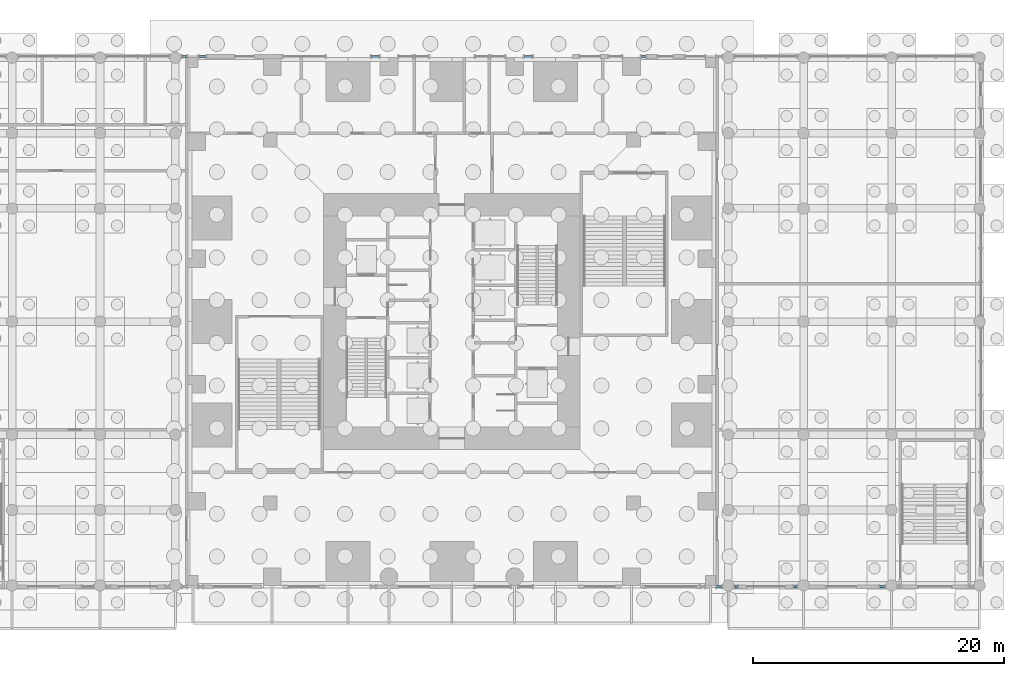
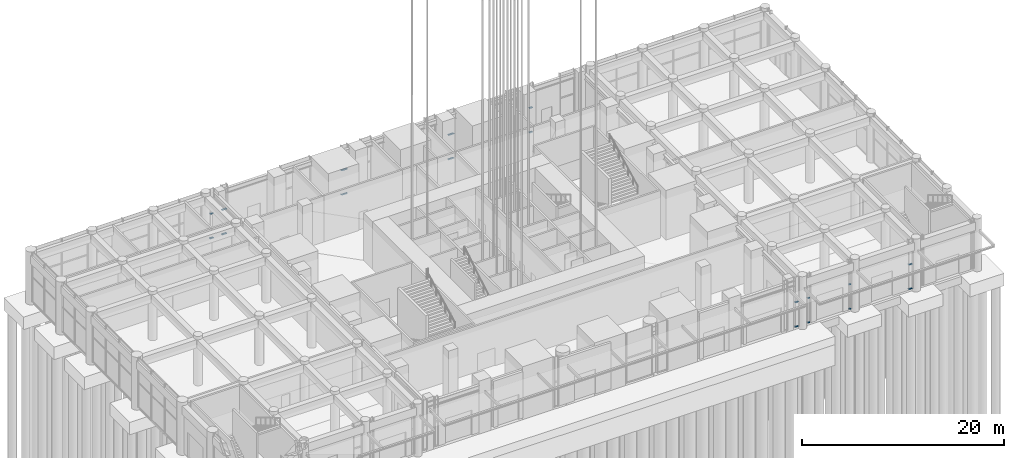
# One storey, part 12 of 46: 18 members, 9 elements without a shape of their own.
"""IFC4 building model written with IfcOpenShell, lengths in metres."""

from ifc_helpers import new_model, si_unit, direction, frame, origin, origin_2d, place, context, subcontext, project, spatial, rectangle, extrude, material, material_profile, profile_set, type_object, element, aggregate, save


model = new_model("IFC4")

# Units and contexts
model_context = context("Model", 3, precision=1e-05, world=origin(), true_north=direction((0.0, 1.0)))
body_context = subcontext(model_context, "Body", "Model", "MODEL_VIEW")
ifc_project = project(units=[si_unit("LENGTHUNIT", "METRE"), si_unit("AREAUNIT", "SQUARE_METRE"), si_unit("VOLUMEUNIT", "CUBIC_METRE"), si_unit("PLANEANGLEUNIT", "RADIAN"), si_unit("MASSUNIT", "GRAM", prefix="KILO")], contexts=[model_context])

# Site, building, storey
site_placement = place(None, origin())
site = spatial("IfcSite", under=ifc_project, at=site_placement, CompositionType="ELEMENT")
building_placement = place(site_placement, origin())
building = spatial("IfcBuilding", under=site, at=building_placement, Name="Svetlomir Tower", CompositionType="ELEMENT")
storey_placement = place(building_placement, origin())
storey = spatial("IfcBuildingStorey", under=building, at=storey_placement, Name="L00", CompositionType="ELEMENT", Elevation=0.0)

# Curtain wall, members
ifc_material_1 = material(Name="Bronze anodised aluminium curtain wall", Category="aluminium")
curtain_wall_type = type_object("IfcCurtainWallType", Name="CURTAIN WALL CW5 PODIUM", PredefinedType="NOTDEFINED", material=ifc_material_1)
curtain_wall_1_placement = place(storey_placement, origin())
curtain_wall_1 = element("IfcCurtainWall", 1, at=curtain_wall_1_placement, inside=storey, type_object=curtain_wall_type, Name="Curtain wall CW5 L00", PredefinedType="NOTDEFINED")
ifc_material_2 = material(Name="Bronze anodised aluminium", Category="aluminium")
ifc_material_profile = material_profile(ifc_material_2, rectangle(XDim=0.179931640625, YDim=0.080078125, at=origin_2d()), Name="AL 180x80")
ifc_profile_set = profile_set([ifc_material_profile], Name="Bronze anodised aluminium 6063-T6")
member_type = type_object("IfcMemberType", Name="CW5 TRANSOM 80x180", PredefinedType="USERDEFINED", material=ifc_profile_set)
member_1_placement = place(storey_placement, frame((42.080078125, -0.10009765625, 0.0400390625), z_axis=(1.0, 0.0, 0.0), x_axis=(0.0, 1.0, 0.0)))
member_1 = element("IfcMember", 2, at=member_1_placement, type_object=member_type, Name="CW5 transom 1.1", ObjectType="TRANSOM", PredefinedType="USERDEFINED", context=body_context, shape_type="SweptSolid", body=[
    extrude(rectangle(XDim=0.179931640625, YDim=0.080078125, at=origin_2d()), origin(), (0.0, 0.0, 1.0), 0.389892578125),
])
member_2_placement = place(storey_placement, frame((42.080078125, -0.10009765625, 3.0), z_axis=(1.0, 0.0, 0.0), x_axis=(0.0, 1.0, 0.0)))
member_2 = element("IfcMember", 3, at=member_2_placement, type_object=member_type, Name="CW5 transom 1.2", ObjectType="TRANSOM", PredefinedType="USERDEFINED", context=body_context, shape_type="SweptSolid", body=[
    extrude(rectangle(XDim=0.179931640625, YDim=0.080078125, at=origin_2d()), origin(), (0.0, 0.0, 1.0), 0.389892578125),
])
aggregate(curtain_wall_1, [member_1, member_2])

curtain_wall_2_placement = place(storey_placement, origin())
curtain_wall_2 = element("IfcCurtainWall", 4, at=curtain_wall_2_placement, inside=storey, type_object=curtain_wall_type, Name="Curtain wall CW5 L00", PredefinedType="NOTDEFINED")
member_3_placement = place(storey_placement, frame((43.530029296875, -0.10009765625, 0.0400390625), z_axis=(1.0, 0.0, 0.0), x_axis=(0.0, 1.0, 0.0)))
member_3 = element("IfcMember", 5, at=member_3_placement, type_object=member_type, Name="CW5 transom 1.1", ObjectType="TRANSOM", PredefinedType="USERDEFINED", context=body_context, shape_type="SweptSolid", body=[
    extrude(rectangle(XDim=0.179931640625, YDim=0.080078125, at=origin_2d()), origin(), (0.0, 0.0, 1.0), 0.239990234375),
])
member_4_placement = place(storey_placement, frame((43.530029296875, -0.10009765625, 3.0), z_axis=(1.0, 0.0, 0.0), x_axis=(0.0, 1.0, 0.0)))
member_4 = element("IfcMember", 6, at=member_4_placement, type_object=member_type, Name="CW5 transom 1.2", ObjectType="TRANSOM", PredefinedType="USERDEFINED", context=body_context, shape_type="SweptSolid", body=[
    extrude(rectangle(XDim=0.179931640625, YDim=0.080078125, at=origin_2d()), origin(), (0.0, 0.0, 1.0), 0.239990234375),
])
aggregate(curtain_wall_2, [member_3, member_4])

curtain_wall_3_placement = place(storey_placement, origin())
curtain_wall_3 = element("IfcCurtainWall", 7, at=curtain_wall_3_placement, inside=storey, type_object=curtain_wall_type, Name="Curtain wall CW5 L00", PredefinedType="NOTDEFINED")
member_5_placement = place(storey_placement, frame((48.22998046875, -0.10009765625, 0.0400390625), z_axis=(1.0, 0.0, 0.0), x_axis=(0.0, 1.0, 0.0)))
member_5 = element("IfcMember", 8, at=member_5_placement, type_object=member_type, Name="CW5 transom 1.1", ObjectType="TRANSOM", PredefinedType="USERDEFINED", context=body_context, shape_type="SweptSolid", body=[
    extrude(rectangle(XDim=0.179931640625, YDim=0.080078125, at=origin_2d()), origin(), (0.0, 0.0, 1.0), 0.239990234375),
])
member_6_placement = place(storey_placement, frame((48.22998046875, -0.10009765625, 3.0), z_axis=(1.0, 0.0, 0.0), x_axis=(0.0, 1.0, 0.0)))
member_6 = element("IfcMember", 9, at=member_6_placement, type_object=member_type, Name="CW5 transom 1.2", ObjectType="TRANSOM", PredefinedType="USERDEFINED", context=body_context, shape_type="SweptSolid", body=[
    extrude(rectangle(XDim=0.179931640625, YDim=0.080078125, at=origin_2d()), origin(), (0.0, 0.0, 1.0), 0.239990234375),
])
aggregate(curtain_wall_3, [member_5, member_6])

curtain_wall_4_placement = place(storey_placement, origin())
curtain_wall_4 = element("IfcCurtainWall", 10, at=curtain_wall_4_placement, inside=storey, type_object=curtain_wall_type, Name="Curtain wall CW5 L00", PredefinedType="NOTDEFINED")
member_7_placement = place(storey_placement, frame((55.080078125, -0.10009765625, 0.0400390625), z_axis=(1.0, 0.0, 0.0), x_axis=(0.0, 1.0, 0.0)))
member_7 = element("IfcMember", 11, at=member_7_placement, type_object=member_type, Name="CW5 transom 1.1", ObjectType="TRANSOM", PredefinedType="USERDEFINED", context=body_context, shape_type="SweptSolid", body=[
    extrude(rectangle(XDim=0.179931640625, YDim=0.080078125, at=origin_2d()), origin(), (0.0, 0.0, 1.0), 0.389892578125),
])
member_8_placement = place(storey_placement, frame((55.080078125, -0.10009765625, 3.0), z_axis=(1.0, 0.0, 0.0), x_axis=(0.0, 1.0, 0.0)))
member_8 = element("IfcMember", 12, at=member_8_placement, type_object=member_type, Name="CW5 transom 1.2", ObjectType="TRANSOM", PredefinedType="USERDEFINED", context=body_context, shape_type="SweptSolid", body=[
    extrude(rectangle(XDim=0.179931640625, YDim=0.080078125, at=origin_2d()), origin(), (0.0, 0.0, 1.0), 0.389892578125),
])
aggregate(curtain_wall_4, [member_7, member_8])

curtain_wall_5_placement = place(storey_placement, origin())
curtain_wall_5 = element("IfcCurtainWall", 13, at=curtain_wall_5_placement, inside=storey, type_object=curtain_wall_type, Name="Curtain wall CW5 L00", PredefinedType="NOTDEFINED")
member_9_placement = place(storey_placement, frame((36.419921875, 42.10009765625, 0.0400390625), z_axis=(-1.0, 0.0, 0.0), x_axis=(0.0, -1.0, 0.0)))
member_9 = element("IfcMember", 14, at=member_9_placement, type_object=member_type, Name="CW5 transom 1.1", ObjectType="TRANSOM", PredefinedType="USERDEFINED", context=body_context, shape_type="SweptSolid", body=[
    extrude(rectangle(XDim=0.179931640625, YDim=0.080078125, at=origin_2d()), origin(), (0.0, 0.0, 1.0), 0.33984375),
])
member_10_placement = place(storey_placement, frame((36.419921875, 42.10009765625, 3.0), z_axis=(-1.0, 0.0, 0.0), x_axis=(0.0, -1.0, 0.0)))
member_10 = element("IfcMember", 15, at=member_10_placement, type_object=member_type, Name="CW5 transom 1.2", ObjectType="TRANSOM", PredefinedType="USERDEFINED", context=body_context, shape_type="SweptSolid", body=[
    extrude(rectangle(XDim=0.179931640625, YDim=0.080078125, at=origin_2d()), origin(), (0.0, 0.0, 1.0), 0.33984375),
])
aggregate(curtain_wall_5, [member_9, member_10])

curtain_wall_6_placement = place(storey_placement, origin())
curtain_wall_6 = element("IfcCurtainWall", 16, at=curtain_wall_6_placement, inside=storey, type_object=curtain_wall_type, Name="Curtain wall CW5 L00", PredefinedType="NOTDEFINED")
member_11_placement = place(storey_placement, frame((27.419921875, 42.10009765625, 0.0400390625), z_axis=(-1.0, 0.0, 0.0), x_axis=(0.0, -1.0, 0.0)))
member_11 = element("IfcMember", 17, at=member_11_placement, type_object=member_type, Name="CW5 transom 1.1", ObjectType="TRANSOM", PredefinedType="USERDEFINED", context=body_context, shape_type="SweptSolid", body=[
    extrude(rectangle(XDim=0.179931640625, YDim=0.080078125, at=origin_2d()), origin(), (0.0, 0.0, 1.0), 0.639892578125),
])
member_12_placement = place(storey_placement, frame((27.419921875, 42.10009765625, 3.0), z_axis=(-1.0, 0.0, 0.0), x_axis=(0.0, -1.0, 0.0)))
member_12 = element("IfcMember", 18, at=member_12_placement, type_object=member_type, Name="CW5 transom 1.2", ObjectType="TRANSOM", PredefinedType="USERDEFINED", context=body_context, shape_type="SweptSolid", body=[
    extrude(rectangle(XDim=0.179931640625, YDim=0.080078125, at=origin_2d()), origin(), (0.0, 0.0, 1.0), 0.639892578125),
])
aggregate(curtain_wall_6, [member_11, member_12])

curtain_wall_7_placement = place(storey_placement, origin())
curtain_wall_7 = element("IfcCurtainWall", 19, at=curtain_wall_7_placement, inside=storey, type_object=curtain_wall_type, Name="Curtain wall CW5 L00", PredefinedType="NOTDEFINED")
member_13_placement = place(storey_placement, frame((15.219970703125, 42.10009765625, 0.0400390625), z_axis=(-1.0, 0.0, 0.0), x_axis=(0.0, -1.0, 0.0)))
member_13 = element("IfcMember", 20, at=member_13_placement, type_object=member_type, Name="CW5 transom 1.1", ObjectType="TRANSOM", PredefinedType="USERDEFINED", context=body_context, shape_type="SweptSolid", body=[
    extrude(rectangle(XDim=0.179931640625, YDim=0.080078125, at=origin_2d()), origin(), (0.0, 0.0, 1.0), 0.639892578125),
])
member_14_placement = place(storey_placement, frame((15.219970703125, 42.10009765625, 3.0), z_axis=(-1.0, 0.0, 0.0), x_axis=(0.0, -1.0, 0.0)))
member_14 = element("IfcMember", 21, at=member_14_placement, type_object=member_type, Name="CW5 transom 1.2", ObjectType="TRANSOM", PredefinedType="USERDEFINED", context=body_context, shape_type="SweptSolid", body=[
    extrude(rectangle(XDim=0.179931640625, YDim=0.080078125, at=origin_2d()), origin(), (0.0, 0.0, 1.0), 0.639892578125),
])
aggregate(curtain_wall_7, [member_13, member_14])

curtain_wall_8_placement = place(storey_placement, origin())
curtain_wall_8 = element("IfcCurtainWall", 22, at=curtain_wall_8_placement, inside=storey, type_object=curtain_wall_type, Name="Curtain wall CW5 L00", PredefinedType="NOTDEFINED")
member_15_placement = place(storey_placement, frame((1.419921875, 42.10009765625, 0.0400390625), z_axis=(-1.0, 0.0, 0.0), x_axis=(0.0, -1.0, 0.0)))
member_15 = element("IfcMember", 23, at=member_15_placement, type_object=member_type, Name="CW5 transom 1.1", ObjectType="TRANSOM", PredefinedType="USERDEFINED", context=body_context, shape_type="SweptSolid", body=[
    extrude(rectangle(XDim=0.179931640625, YDim=0.080078125, at=origin_2d()), origin(), (0.0, 0.0, 1.0), 0.5400390625),
])
member_16_placement = place(storey_placement, frame((1.419921875, 42.10009765625, 3.0), z_axis=(-1.0, 0.0, 0.0), x_axis=(0.0, -1.0, 0.0)))
member_16 = element("IfcMember", 24, at=member_16_placement, type_object=member_type, Name="CW5 transom 1.2", ObjectType="TRANSOM", PredefinedType="USERDEFINED", context=body_context, shape_type="SweptSolid", body=[
    extrude(rectangle(XDim=0.179931640625, YDim=0.080078125, at=origin_2d()), origin(), (0.0, 0.0, 1.0), 0.5400390625),
])
aggregate(curtain_wall_8, [member_15, member_16])

curtain_wall_9_placement = place(storey_placement, origin())
curtain_wall_9 = element("IfcCurtainWall", 25, at=curtain_wall_9_placement, inside=storey, type_object=curtain_wall_type, Name="Curtain wall CW5 L00", PredefinedType="NOTDEFINED")
member_17_placement = place(storey_placement, frame((-0.080078125, 42.10009765625, 0.0400390625), z_axis=(-1.0, 0.0, 0.0), x_axis=(0.0, -1.0, 0.0)))
member_17 = element("IfcMember", 26, at=member_17_placement, type_object=member_type, Name="CW5 transom 1.1", ObjectType="TRANSOM", PredefinedType="USERDEFINED", context=body_context, shape_type="SweptSolid", body=[
    extrude(rectangle(XDim=0.179931640625, YDim=0.080078125, at=origin_2d()), origin(), (0.0, 0.0, 1.0), 0.389892578125),
])
member_18_placement = place(storey_placement, frame((-0.080078125, 42.10009765625, 3.0), z_axis=(-1.0, 0.0, 0.0), x_axis=(0.0, -1.0, 0.0)))
member_18 = element("IfcMember", 27, at=member_18_placement, type_object=member_type, Name="CW5 transom 1.2", ObjectType="TRANSOM", PredefinedType="USERDEFINED", context=body_context, shape_type="SweptSolid", body=[
    extrude(rectangle(XDim=0.179931640625, YDim=0.080078125, at=origin_2d()), origin(), (0.0, 0.0, 1.0), 0.389892578125),
])
aggregate(curtain_wall_9, [member_17, member_18])

save(model, "model.ifc")
